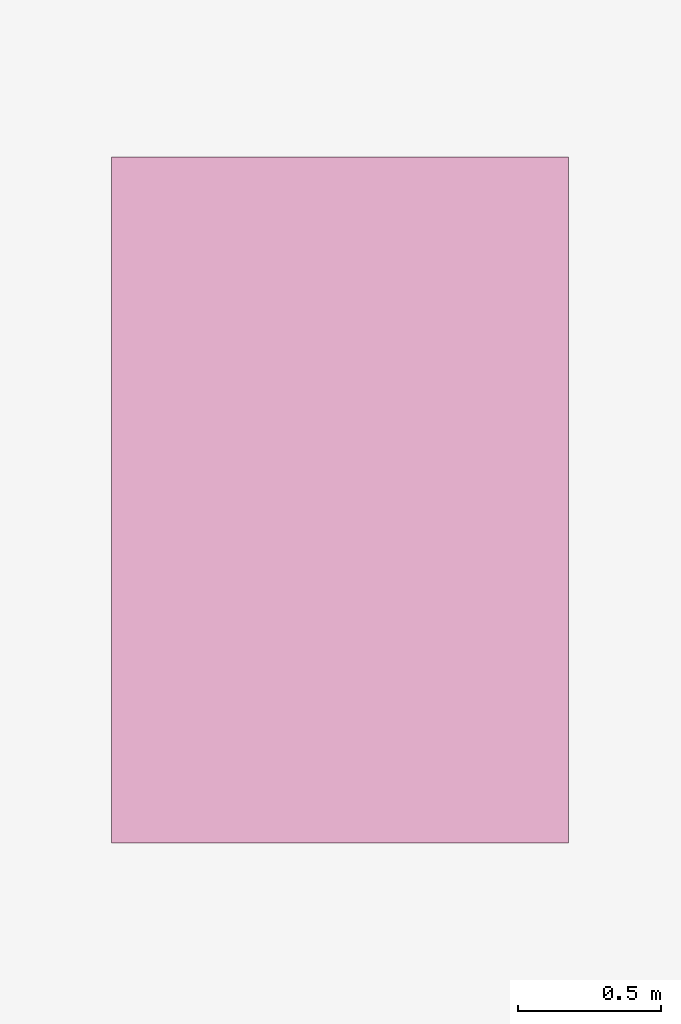
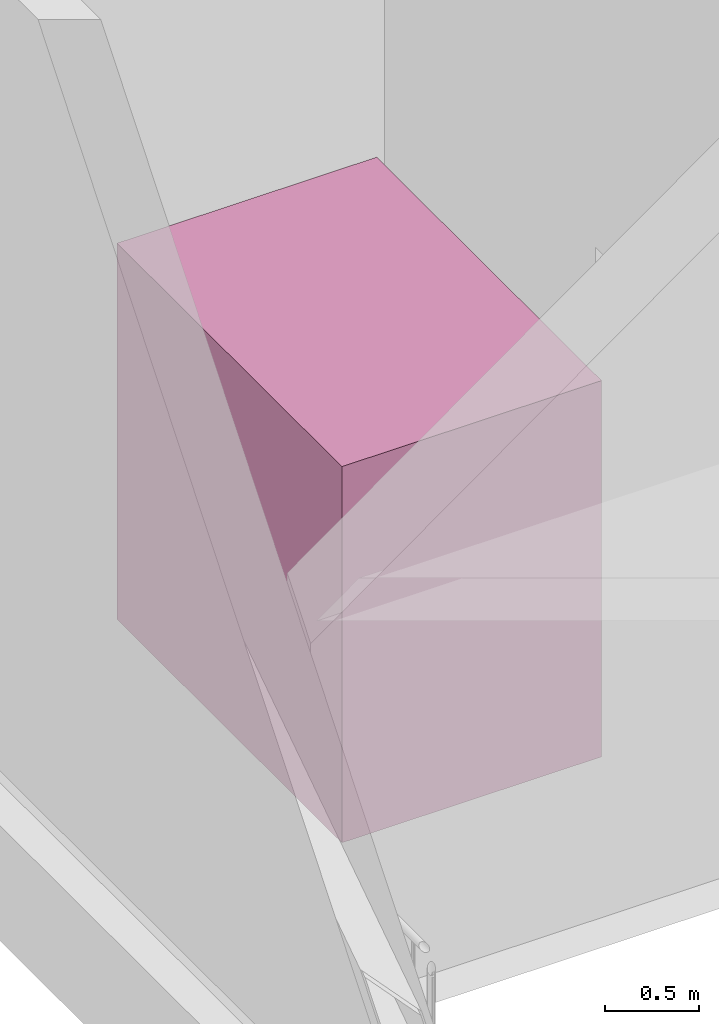
# One storey, part 70 of 70: 1 transport element.
"""IFC4 building model written with IfcOpenShell, lengths in metres."""

import ifcopenshell
import ifcopenshell.guid

model = None  # the IFC model being written
_history = None  # IfcOwnerHistory: only IFC2X3 demands one
_inside = {}  # id of a spatial element -> (the spatial element, [elements in it])
_under = {}  # id of a project, library or spatial element -> (it, [spatial elements below it])
_declared = {}  # id of a project -> (the project, [libraries it declares])
_typed = {}  # id of a type object -> (the type object, [elements of that type])
_made_of = {}  # id of a material, layer set ... -> (it, [elements and type objects made of it])


def new_model(schema):
    """Start an empty IFC model of exactly this schema.

    Asked for "IFC4X3", IfcOpenShell would pick the latest addendum, in which some entities
    have other attributes; the version numbers below select the first issue.
    IFC2X3 requires an IfcOwnerHistory on every rooted entity: one is made here for all.
    """
    global model, _history
    if schema == "IFC4X3":
        model = ifcopenshell.file(schema_version=(4, 3, 0, 0))
    else:
        model = ifcopenshell.file(schema=schema)
    _inside.clear()
    _under.clear()
    _declared.clear()
    _typed.clear()
    _made_of.clear()
    _history = None
    if model.schema == "IFC2X3":
        org = make("IfcOrganization", Name="unknown")
        user = make(
            "IfcPersonAndOrganization",
            ThePerson=make("IfcPerson", FamilyName="unknown"),
            TheOrganization=org,
        )
        app = make(
            "IfcApplication",
            ApplicationDeveloper=org,
            Version="unknown",
            ApplicationFullName="unknown",
            ApplicationIdentifier="unknown",
        )
        _history = make(
            "IfcOwnerHistory",
            OwningUser=user,
            OwningApplication=app,
            ChangeAction="ADDED",
            CreationDate=0,
        )
    return model


def make(cls, **values):
    """One entity of the class cls with the attributes given. An attribute that is None is left unset."""
    return model.create_entity(
        cls, **{name: value for name, value in values.items() if value is not None}
    )


def rooted(cls, **values):
    """An entity with a GlobalId (a new one), such as an element, a storey or a relation."""
    return make(cls, GlobalId=ifcopenshell.guid.new(), OwnerHistory=_history, **values)


def si_unit(unit_type, name, prefix=None):
    """IfcSIUnit, for example si_unit("LENGTHUNIT", "METRE", prefix="MILLI")."""
    return make("IfcSIUnit", UnitType=unit_type, Prefix=prefix, Name=name)


def assignment(units):
    """IfcUnitAssignment: the units of a project."""
    return None if units is None else make("IfcUnitAssignment", Units=units)


def point(xyz):
    """IfcCartesianPoint."""
    return None if xyz is None else make("IfcCartesianPoint", Coordinates=xyz)


def direction(xyz):
    """IfcDirection."""
    return None if xyz is None else make("IfcDirection", DirectionRatios=xyz)


def frame(location, z_axis=None, x_axis=None):
    """IfcAxis2Placement3D, a coordinate frame: its origin and axes. An axis left out is left unset."""
    return make(
        "IfcAxis2Placement3D",
        Location=point(location),
        Axis=direction(z_axis),
        RefDirection=direction(x_axis),
    )


def frame_2d(location, x_axis=None):
    """IfcAxis2Placement2D, a coordinate frame in the plane: its origin and x axis."""
    return make(
        "IfcAxis2Placement2D", Location=point(location), RefDirection=direction(x_axis)
    )


def origin():
    """The frame at (0, 0, 0) with its axes left unset."""
    return frame((0.0, 0.0, 0.0))


def origin_2d():
    """The frame at (0, 0) in the plane with its x axis left unset."""
    return frame_2d((0.0, 0.0))


def place(relative_to, where):
    """IfcLocalPlacement: puts the frame where relative to a parent placement (None: the world)."""
    return make(
        "IfcLocalPlacement", PlacementRelTo=relative_to, RelativePlacement=where
    )


def context(
    kind, dimensions, precision=None, world=None, true_north=None, identifier=None
):
    """IfcGeometricRepresentationContext, for example the 3D "Model" context."""
    return make(
        "IfcGeometricRepresentationContext",
        ContextIdentifier=identifier,
        ContextType=kind,
        CoordinateSpaceDimension=dimensions,
        Precision=precision,
        WorldCoordinateSystem=world,
        TrueNorth=true_north,
    )


def subcontext(parent, identifier, kind, view, scale=None):
    """IfcGeometricRepresentationSubContext, for example "Body" below "Model"."""
    return make(
        "IfcGeometricRepresentationSubContext",
        ContextIdentifier=identifier,
        ContextType=kind,
        ParentContext=parent,
        TargetScale=scale,
        TargetView=view,
    )


def project(units=None, contexts=None):
    """IfcProject with its units and contexts."""
    return rooted(
        "IfcProject",
        Name="project",
        RepresentationContexts=contexts,
        UnitsInContext=assignment(units),
    )


def spatial(cls, under=None, at=None, **own):
    """A site, building, storey or space (cls), placed at a placement, below another one or the project."""
    s = rooted(cls, ObjectPlacement=at, **own)
    if under is not None:
        _under.setdefault(under.id(), (under, []))[1].append(s)
    return s


def profile(cls, at=None, kind="AREA", **sizes):
    """A parametric profile (cls). Its sizes go by their IFC names, for example OverallWidth=200.0."""
    return make(cls, ProfileType=kind, Position=at, **sizes)


def rectangle(**sizes):
    """IfcRectangleProfileDef."""
    return profile("IfcRectangleProfileDef", **sizes)


def extrude(swept, where, along, depth):
    """IfcExtrudedAreaSolid: the profile swept, set in the frame where, extruded along a direction by depth."""
    return make(
        "IfcExtrudedAreaSolid",
        SweptArea=swept,
        Position=where,
        ExtrudedDirection=direction(along),
        Depth=depth,
    )


def shape(context_of_items, identifier, shape_type, items):
    """IfcShapeRepresentation: the items that make up one representation, for example the "Body"."""
    return make(
        "IfcShapeRepresentation",
        ContextOfItems=context_of_items,
        RepresentationIdentifier=identifier,
        RepresentationType=shape_type,
        Items=items,
    )


def material(Name=None, Category=None):
    """IfcMaterial."""
    return make("IfcMaterial", Name=Name, Category=Category)


def made_of(thing, what):
    """Note that an element or type object is made of a material, layer set ...; save() writes the relation."""
    if what is not None:
        _made_of.setdefault(what.id(), (what, []))[1].append(thing)
    return thing


def type_object(cls, material=None, **own):
    """A type object (cls), such as IfcWallType, which elements share."""
    return made_of(rooted(cls, **own), material)


def element(
    cls,
    number,
    at=None,
    inside=None,
    cuts=None,
    type_object=None,
    material=None,
    context=None,
    identifier="Body",
    shape_type=None,
    held_by="IfcProductDefinitionShape",
    body=None,
    shapes=None,
    **own,
):
    """One element of the class cls, such as IfcWall. Its Tag is "e" and its number.

    at: its placement. inside: the storey or other place that contains it. cuts: it is an
    opening in that element (IfcRelVoidsElement). A single representation is given by context,
    identifier, shape_type and body (its items); several are given by shapes. held_by: the class
    of the entity that holds the representations. save() writes the other relations.
    """
    e = rooted(cls, Tag="e%d" % number, ObjectPlacement=at, **own)
    if body is not None:
        shapes = [shape(context, identifier, shape_type, body)]
    if shapes is not None:
        e.Representation = make(held_by, Representations=shapes)
    if inside is not None:
        _inside.setdefault(inside.id(), (inside, []))[1].append(e)
    if cuts is not None:
        rooted(
            "IfcRelVoidsElement", RelatingBuildingElement=cuts, RelatedOpeningElement=e
        )
    if type_object is not None:
        _typed.setdefault(type_object.id(), (type_object, []))[1].append(e)
    return made_of(e, material)


def aggregate(whole, parts):
    """IfcRelAggregates: a whole, such as a stair, and the parts it consists of."""
    return rooted("IfcRelAggregates", RelatingObject=whole, RelatedObjects=parts)


def save(model, path):
    """Write the relations noted so far, then the file.

    IfcRelAggregates (storeys below a building ...), IfcRelContainedInSpatialStructure (elements
    in a storey), IfcRelDefinesByType, IfcRelAssociatesMaterial and IfcRelDeclares: one each for
    every whole, place, type object, material and project.
    """
    for whole, parts in _under.values():
        aggregate(whole, parts)
    for where, things in _inside.values():
        rooted(
            "IfcRelContainedInSpatialStructure",
            RelatedElements=things,
            RelatingStructure=where,
        )
    for kind, things in _typed.values():
        rooted("IfcRelDefinesByType", RelatedObjects=things, RelatingType=kind)
    for what, things in _made_of.values():
        rooted("IfcRelAssociatesMaterial", RelatedObjects=things, RelatingMaterial=what)
    for by, libraries in _declared.values():
        rooted("IfcRelDeclares", RelatingContext=by, RelatedDefinitions=libraries)
    model.write(path)


model = new_model("IFC4")

# Units and contexts
model_context = context("Model", 3, precision=1e-05, world=origin(), true_north=direction((0.0, 1.0)))
body_context = subcontext(model_context, "Body", "Model", "MODEL_VIEW")
ifc_project = project(units=[si_unit("LENGTHUNIT", "METRE"), si_unit("AREAUNIT", "SQUARE_METRE"), si_unit("VOLUMEUNIT", "CUBIC_METRE"), si_unit("PLANEANGLEUNIT", "RADIAN"), si_unit("MASSUNIT", "GRAM", prefix="KILO")], contexts=[model_context])

# Site, building, storey
site_placement = place(None, origin())
site = spatial("IfcSite", under=ifc_project, at=site_placement, CompositionType="ELEMENT")
building_placement = place(site_placement, origin())
building = spatial("IfcBuilding", under=site, at=building_placement, Name="Vesperath Aquatics Centre", CompositionType="ELEMENT")
storey_placement = place(building_placement, origin())
storey = spatial("IfcBuildingStorey", under=building, at=storey_placement, Name="L00", CompositionType="ELEMENT", Elevation=0.0)

# Transport element
ifc_material = material(Name="Brushed stainless steel lift cab", Category="steel")
transport_element_type = type_object("IfcTransportElementType", Name="LF-LFT-P2", PredefinedType="ELEVATOR", material=ifc_material)
transport_element_placement = place(storey_placement, frame((1.89990234375, 69.35009765625, 0.0), z_axis=(0.0, 0.0, 1.0), x_axis=(1.0, 0.0, 0.0)))
element("IfcTransportElement", 1, at=transport_element_placement, inside=storey, type_object=transport_element_type, Name="Passenger Lift LFT-P2", PredefinedType="ELEVATOR", context=body_context, shape_type="SweptSolid", body=[
    extrude(rectangle(XDim=1.60009765625, YDim=2.39990234375, at=origin_2d()), origin(), (0.0, 0.0, 1.0), 2.449951171875),
])

save(model, "model.ifc")
